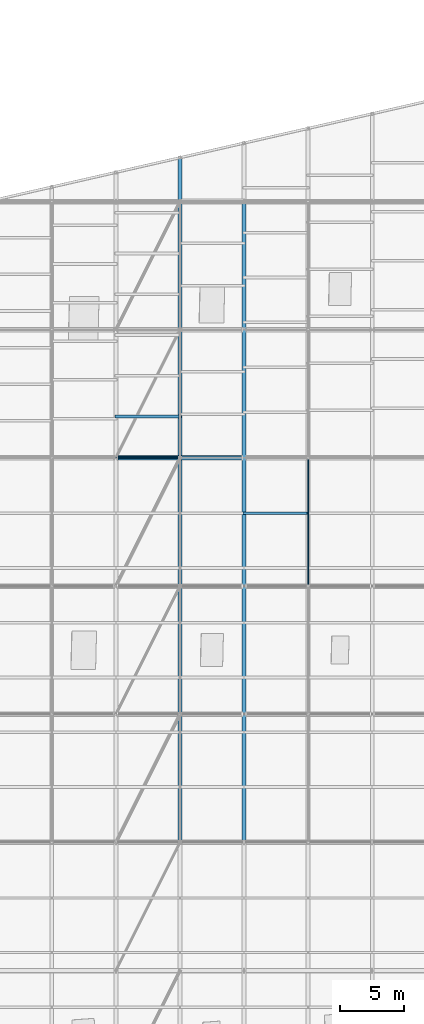
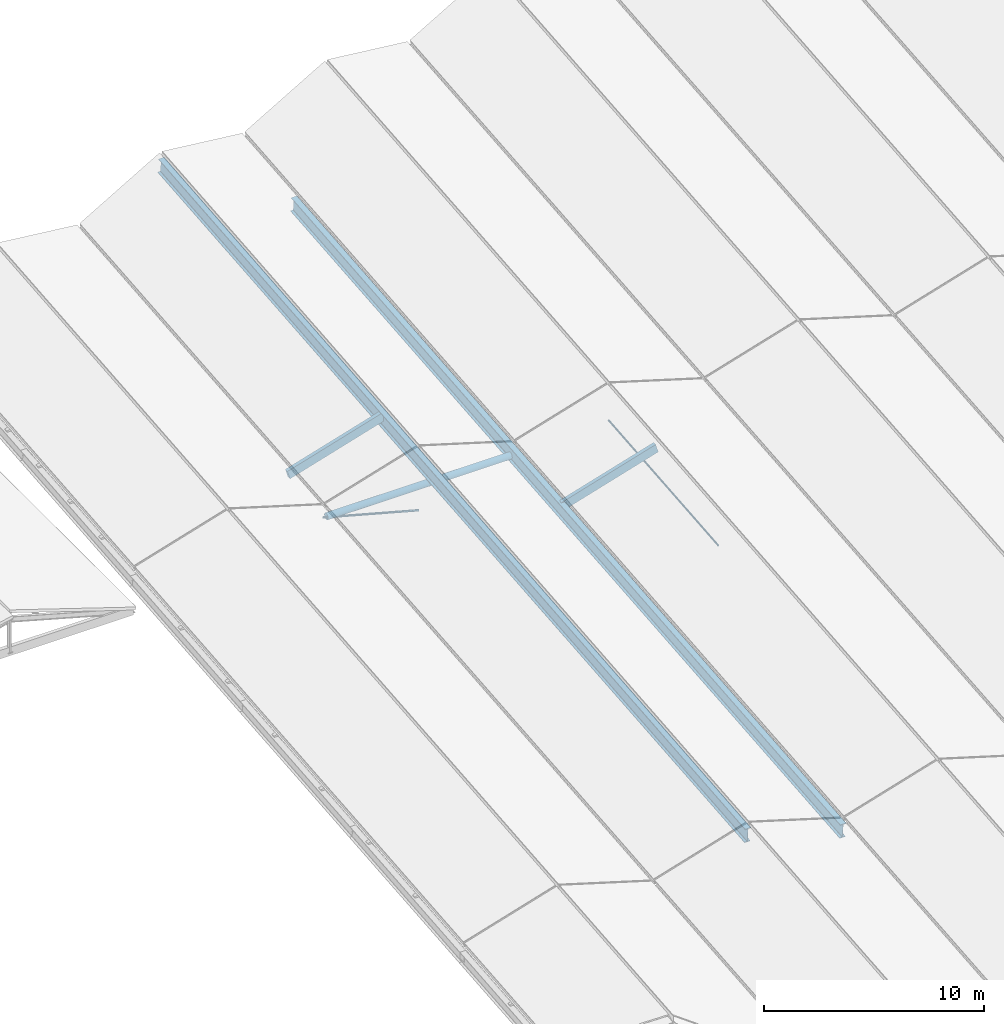
# One storey, part 26 of 90: 4 members, 3 beams.
"""IFC4 building model written with IfcOpenShell, lengths in metres."""

from ifc_helpers import new_model, si_unit, direction, frame, origin, origin_2d, place, context, subcontext, project, spatial, rectangle, circle, hollow_circle, i_section, extrude, material, material_profile, profile_set, type_object, element, save


model = new_model("IFC4")

# Units and contexts
model_context = context("Model", 3, precision=1e-05, world=origin(), true_north=direction((0.0, 1.0)))
body_context = subcontext(model_context, "Body", "Model", "MODEL_VIEW")
ifc_project = project(units=[si_unit("LENGTHUNIT", "METRE"), si_unit("AREAUNIT", "SQUARE_METRE"), si_unit("VOLUMEUNIT", "CUBIC_METRE"), si_unit("PLANEANGLEUNIT", "RADIAN"), si_unit("MASSUNIT", "GRAM", prefix="KILO"), si_unit("THERMODYNAMICTEMPERATUREUNIT", "KELVIN"), si_unit("POWERUNIT", "WATT")], contexts=[model_context])

# Site, building, storey
site_placement = place(None, origin())
site = spatial("IfcSite", under=ifc_project, at=site_placement, CompositionType="ELEMENT")
building_placement = place(site_placement, origin())
building = spatial("IfcBuilding", under=site, at=building_placement, Name="Korenveer Ferry Terminal", CompositionType="ELEMENT")
storey_placement = place(building_placement, frame((0.0, 0.0, 22.199951171875)))
storey = spatial("IfcBuildingStorey", under=building, at=storey_placement, Name="RF", CompositionType="ELEMENT", Elevation=22.199951171875)

# Beams
ifc_material_1 = material(Name="Steel S355", Category="steel")
ifc_material_profile_1 = material_profile(ifc_material_1, i_section(OverallWidth=0.300048828125, OverallDepth=0.800048828125, WebThickness=0.017578125, FlangeThickness=0.032958984375, FilletRadius=0.030029296875, at=origin_2d()), Name="HEB 800")
ifc_profile_set_1 = profile_set([ifc_material_profile_1], Name="Steel S355")
beam_type_1 = type_object("IfcBeamType", Name="STR-BM-HEB800", PredefinedType="BEAM", material=ifc_profile_set_1)
beam_1_placement = place(storey_placement, frame((68.0, 50.0, -7.16796875), z_axis=(0.0, 0.995902973619, 0.090428243027), x_axis=(-1.0, 0.0, 0.0)))
element("IfcBeam", 1, at=beam_1_placement, inside=storey, type_object=beam_type_1, Name="Folded roof ridge girder 4", PredefinedType="BEAM", context=body_context, shape_type="SweptSolid", body=[
    extrude(i_section(OverallWidth=0.300048828125, OverallDepth=0.800048828125, WebThickness=0.017578125, FlangeThickness=0.032958984375, FilletRadius=0.030029296875, at=origin_2d()), origin(), (0.0, 0.0, 1.0), 53.648193359375),
])
beam_2_placement = place(storey_placement, frame((73.0, 50.0, -8.677734375), z_axis=(0.0, 0.995902926336, 0.09042876376), x_axis=(-1.0, 0.0, 0.0)))
element("IfcBeam", 2, at=beam_2_placement, inside=storey, type_object=beam_type_1, Name="Folded roof valley girder 31", PredefinedType="BEAM", context=body_context, shape_type="SweptSolid", body=[
    extrude(i_section(OverallWidth=0.300048828125, OverallDepth=0.800048828125, WebThickness=0.017578125, FlangeThickness=0.032958984375, FilletRadius=0.030029296875, at=origin_2d()), origin(), (0.0, 0.0, 1.0), 50.205810546875),
])

# Members
ifc_material_2 = material(Name="High-strength steel S460", Category="steel")
ifc_material_profile_2 = material_profile(ifc_material_2, circle(Radius=0.044921875, at=origin_2d()), Name="ROD D90")
ifc_profile_set_2 = profile_set([ifc_material_profile_2], Name="High-strength steel S460")
member_type_1 = type_object("IfcMemberType", Name="STR-CBL-D90", PredefinedType="USERDEFINED", material=ifc_profile_set_2)
member_1_placement = place(storey_placement, frame((63.0, 80.0, -5.95361328125), z_axis=(0.965424337217, 0.0, -0.260683426993), x_axis=(0.0, 1.0, 0.0)))
element("IfcMember", 3, at=member_1_placement, inside=storey, type_object=member_type_1, Name="Roof tension tie cable 59", ObjectType="CABLE", PredefinedType="USERDEFINED", context=body_context, shape_type="SweptSolid", body=[
    extrude(circle(Radius=0.044921875, at=origin_2d()), origin(), (0.0, 0.0, 1.0), 5.178955078125),
])
member_2_placement = place(storey_placement, frame((78.0, 70.0, -6.701904296875), z_axis=(0.0, 0.995903364261, 0.090423940715), x_axis=(-1.0, 0.0, 0.0)))
element("IfcMember", 4, at=member_2_placement, inside=storey, type_object=member_type_1, Name="Longitudinal jaw-stay cable 111", ObjectType="CABLE", PredefinedType="USERDEFINED", context=body_context, shape_type="SweptSolid", body=[
    extrude(circle(Radius=0.044921875, at=origin_2d()), origin(), (0.0, 0.0, 1.0), 10.041015625),
])
ifc_material_3 = material(Name="Glulam GL28h", Category="wood")
ifc_material_profile_3 = material_profile(ifc_material_3, rectangle(XDim=0.199951171875, YDim=0.47998046875, at=origin_2d()), Name="GL 200x480")
ifc_profile_set_3 = profile_set([ifc_material_profile_3], Name="Glulam GL28h")
member_type_2 = type_object("IfcMemberType", Name="STR-PUR-GL200", PredefinedType="PURLIN", material=ifc_profile_set_3)
for number, where, z_axis, x_axis, name in (
    (5, (63.0, 83.229248046875, -5.502197265625), (0.957310140112, 0.0, 0.289062788401), (0.0, 1.0, 0.0), "Folded roof glulam purlin 61"),
    (6, (73.0, 75.678466796875, -6.187744140625), (0.957310140112, 0.0, 0.289062788401), (0.0, 1.0, 0.0), "Folded roof glulam purlin 90"),
):
    element("IfcMember", number, at=place(storey_placement, frame(where, z_axis=z_axis, x_axis=x_axis)), inside=storey, type_object=member_type_2, Name=name, PredefinedType="PURLIN", context=body_context, shape_type="SweptSolid", body=[
        extrude(rectangle(XDim=0.199951171875, YDim=0.47998046875, at=origin_2d()), origin(), (0.0, 0.0, 1.0), 5.222900390625),
    ])

# Beam
ifc_material_profile_4 = material_profile(ifc_material_1, hollow_circle(Radius=0.177734375, WallThickness=0.01611328125, at=origin_2d()), Name="CHS 355.6x16")
ifc_profile_set_4 = profile_set([ifc_material_profile_4], Name="Steel S355")
beam_type_2 = type_object("IfcBeamType", Name="STR-RFG-CHS355", PredefinedType="USERDEFINED", material=ifc_profile_set_4)
beam_3_placement = place(storey_placement, frame((63.159912109375, 80.0, -5.95361328125), z_axis=(1.0, 0.0, 0.0), x_axis=(0.0, 1.0, 0.0)))
element("IfcBeam", 7, at=beam_3_placement, inside=storey, type_object=beam_type_2, Name="Roof transverse tie girder 118", ObjectType="ROOF GIRDER", PredefinedType="USERDEFINED", context=body_context, shape_type="SweptSolid", body=[
    extrude(hollow_circle(Radius=0.177734375, WallThickness=0.01611328125, at=origin_2d()), origin(), (0.0, 0.0, 1.0), 9.68017578125),
])

save(model, "model.ifc")
